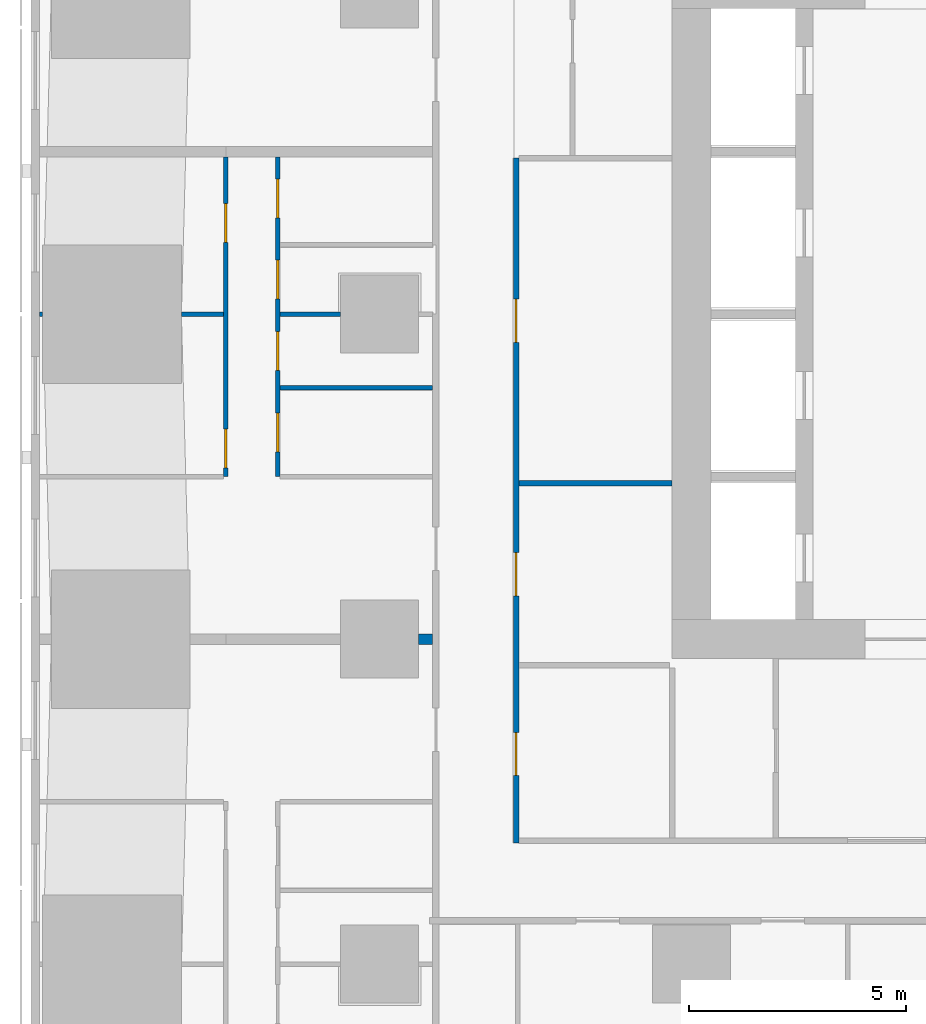
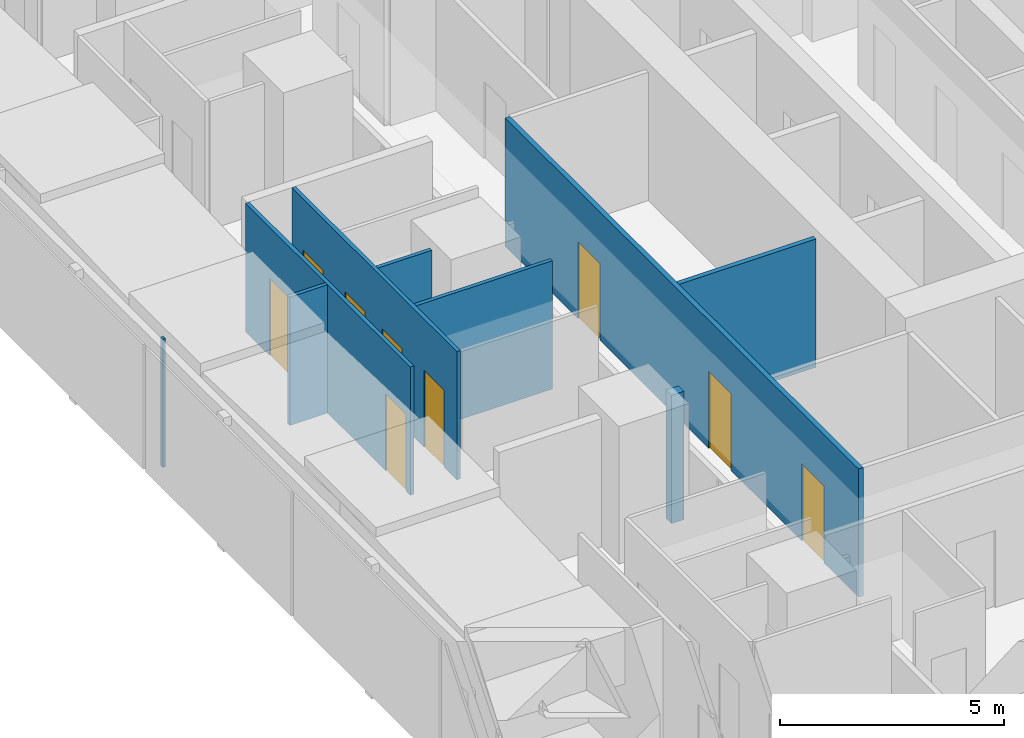
# One storey, part 5 of 17: 9 doors, 9 walls, 9 openings.
"""IFC4 building model written with IfcOpenShell, lengths in metres."""

from ifc_helpers import new_model, si_unit, direction, frame, frame_2d, origin, place, context, subcontext, project, spatial, rectangle, extrude, material, layer, layer_set, type_object, element, fill, save


model = new_model("IFC4")

# Units and contexts
model_context = context("Model", 3, precision=1e-05, world=origin(), true_north=direction((0.0, 1.0)))
body_context = subcontext(model_context, "Body", "Model", "MODEL_VIEW")
ifc_project = project(units=[si_unit("LENGTHUNIT", "METRE"), si_unit("AREAUNIT", "SQUARE_METRE"), si_unit("VOLUMEUNIT", "CUBIC_METRE"), si_unit("PLANEANGLEUNIT", "RADIAN"), si_unit("MASSUNIT", "GRAM", prefix="KILO")], contexts=[model_context])

# Site, building, storey
site_placement = place(None, origin())
site = spatial("IfcSite", under=ifc_project, at=site_placement, CompositionType="ELEMENT")
building_placement = place(site_placement, origin())
building = spatial("IfcBuilding", under=site, at=building_placement, Name="Sheger Commons Tower", CompositionType="ELEMENT")
storey_placement = place(building_placement, frame((0.0, 0.0, 23.75)))
storey = spatial("IfcBuildingStorey", under=building, at=storey_placement, Name="L05", CompositionType="ELEMENT", Elevation=23.75)

# Wall
ifc_material_1 = material(Name="Dense concrete block masonry, plastered both sides (separating wall between flats)", Category="masonry")
ifc_layer_1 = layer(ifc_material_1, 0.25)
ifc_layer_set_1 = layer_set([ifc_layer_1], Name="DEMISING WALL 250")
wall_type_1 = type_object("IfcWallType", Name="DEMISING WALL 250", PredefinedType="SOLIDWALL", material=ifc_layer_set_1)
wall_1_placement = place(storey_placement, frame((8.10107421875, 15.0, 0.0), z_axis=(0.0, 0.0, 1.0), x_axis=(1.0, 0.0, 0.0)))
element("IfcWall", 1, at=wall_1_placement, inside=storey, type_object=wall_type_1, Name="Demising wall L05", PredefinedType="SOLIDWALL", context=body_context, shape_type="SweptSolid", body=[
    extrude(rectangle(XDim=0.323974609375, YDim=0.25, at=frame_2d((0.162109375, 0.0))), origin(), (0.0, 0.0, 1.0), 3.5),
])

# Wall, openings, doors
ifc_material_2 = material(Name="Gypsum board on steel studs", Category="steel")
ifc_layer_2 = layer(ifc_material_2, 0.10009765625)
ifc_layer_set_2 = layer_set([ifc_layer_2], Name="PARTITION 100")
wall_type_2 = type_object("IfcWallType", Name="PARTITION 100", PredefinedType="PARTITIONING", material=ifc_layer_set_2)
wall_2_placement = place(storey_placement, frame((3.64990234375, 18.75, 0.0), z_axis=(0.0, 0.0, 1.0), x_axis=(0.0, 1.0, 0.0)))
wall_2 = element("IfcWall", 2, at=wall_2_placement, inside=storey, type_object=wall_type_2, Name="Partition L05", PredefinedType="PARTITIONING", context=body_context, shape_type="SweptSolid", body=[
    extrude(rectangle(XDim=7.375, YDim=0.10009765625, at=frame_2d((3.6875, 0.0))), origin(), (0.0, 0.0, 1.0), 3.5),
])
opening_1_placement = place(wall_2_placement, frame((0.199951171875, 0.0, 0.0)))
opening_1 = element("IfcOpeningElement", 3, at=opening_1_placement, cuts=wall_2, Name="Opening D2", PredefinedType="OPENING", context=body_context, shape_type="SweptSolid", body=[
    extrude(rectangle(XDim=0.89990234375, YDim=2.10009765625, at=frame_2d((0.449951171875, 1.050048828125))), frame((0.0, 0.06005859375, 0.0), z_axis=(0.0, -1.0, 0.0), x_axis=(1.0, 0.0, 0.0)), (0.0, 0.0, 1.0), 0.1201171875),
])
opening_2_placement = place(wall_2_placement, frame((5.39990234375, 0.0, 0.0)))
opening_2 = element("IfcOpeningElement", 4, at=opening_2_placement, cuts=wall_2, Name="Opening D2", PredefinedType="OPENING", context=body_context, shape_type="SweptSolid", body=[
    extrude(rectangle(XDim=0.89990234375, YDim=2.10009765625, at=frame_2d((0.449951171875, 1.050048828125))), frame((0.0, 0.06005859375, 0.0), z_axis=(0.0, -1.0, 0.0), x_axis=(1.0, 0.0, 0.0)), (0.0, 0.0, 1.0), 0.1201171875),
])
ifc_material_3 = material(Name="Timber door set", Category="wood")
door_type_1 = type_object("IfcDoorType", Name="INTERNAL DOOR 900x2100", OperationType="NOTDEFINED", PredefinedType="DOOR", material=ifc_material_3)
door_1_placement = place(opening_1_placement, origin())
door_1 = element("IfcDoor", 5, at=door_1_placement, inside=storey, type_object=door_type_1, Name="Main bedroom door", OperationType="SINGLE_SWING_LEFT", OverallHeight=2.10009765625, OverallWidth=0.89990234375, PredefinedType="DOOR", context=body_context, shape_type="SweptSolid", body=[
    extrude(rectangle(XDim=0.89990234375, YDim=2.10009765625, at=frame_2d((0.449951171875, 1.050048828125))), frame((0.0, 0.02490234375, 0.0), z_axis=(0.0, -1.0, 0.0), x_axis=(1.0, 0.0, 0.0)), (0.0, 0.0, 1.0), 0.050048828125),
])
fill(opening_1, door_1)
door_2_placement = place(opening_2_placement, origin())
door_2 = element("IfcDoor", 6, at=door_2_placement, inside=storey, type_object=door_type_1, Name="Bedroom 2 door", OperationType="SINGLE_SWING_RIGHT", OverallHeight=2.10009765625, OverallWidth=0.89990234375, PredefinedType="DOOR", context=body_context, shape_type="SweptSolid", body=[
    extrude(rectangle(XDim=0.89990234375, YDim=2.10009765625, at=frame_2d((0.449951171875, 1.050048828125))), frame((0.0, 0.02490234375, 0.0), z_axis=(0.0, -1.0, 0.0), x_axis=(1.0, 0.0, 0.0)), (0.0, 0.0, 1.0), 0.050048828125),
])
fill(opening_2, door_2)

wall_3_placement = place(storey_placement, frame((4.85009765625, 18.75, 0.0), z_axis=(0.0, 0.0, 1.0), x_axis=(0.0, 1.0, 0.0)))
wall_3 = element("IfcWall", 7, at=wall_3_placement, inside=storey, type_object=wall_type_2, Name="Partition L05", PredefinedType="PARTITIONING", context=body_context, shape_type="SweptSolid", body=[
    extrude(rectangle(XDim=7.375, YDim=0.10009765625, at=frame_2d((3.6875, 0.0))), origin(), (0.0, 0.0, 1.0), 3.5),
])
opening_3_placement = place(wall_3_placement, frame((0.574951171875, 0.0, 0.0)))
opening_3 = element("IfcOpeningElement", 8, at=opening_3_placement, cuts=wall_3, Name="Opening D2", PredefinedType="OPENING", context=body_context, shape_type="SweptSolid", body=[
    extrude(rectangle(XDim=0.89990234375, YDim=2.10009765625, at=frame_2d((0.449951171875, 1.050048828125))), frame((0.0, 0.06005859375, 0.0), z_axis=(0.0, -1.0, 0.0), x_axis=(1.0, 0.0, 0.0)), (0.0, 0.0, 1.0), 0.1201171875),
])
opening_4_placement = place(wall_3_placement, frame((4.10009765625, 0.0, 0.0)))
opening_4 = element("IfcOpeningElement", 9, at=opening_4_placement, cuts=wall_3, Name="Opening D2", PredefinedType="OPENING", context=body_context, shape_type="SweptSolid", body=[
    extrude(rectangle(XDim=0.89990234375, YDim=2.10009765625, at=frame_2d((0.449951171875, 1.050048828125))), frame((0.0, 0.06005859375, 0.0), z_axis=(0.0, -1.0, 0.0), x_axis=(1.0, 0.0, 0.0)), (0.0, 0.0, 1.0), 0.1201171875),
])
opening_5_placement = place(wall_3_placement, frame((2.449951171875, 0.0, 0.0)))
opening_5 = element("IfcOpeningElement", 10, at=opening_5_placement, cuts=wall_3, Name="Opening D2", PredefinedType="OPENING", context=body_context, shape_type="SweptSolid", body=[
    extrude(rectangle(XDim=0.89990234375, YDim=2.10009765625, at=frame_2d((0.449951171875, 1.050048828125))), frame((0.0, 0.06005859375, 0.0), z_axis=(0.0, -1.0, 0.0), x_axis=(1.0, 0.0, 0.0)), (0.0, 0.0, 1.0), 0.1201171875),
])
opening_6_placement = place(wall_3_placement, frame((5.97509765625, 0.0, 0.0)))
opening_6 = element("IfcOpeningElement", 11, at=opening_6_placement, cuts=wall_3, Name="Opening D2", PredefinedType="OPENING", context=body_context, shape_type="SweptSolid", body=[
    extrude(rectangle(XDim=0.89990234375, YDim=2.10009765625, at=frame_2d((0.449951171875, 1.050048828125))), frame((0.0, 0.06005859375, 0.0), z_axis=(0.0, -1.0, 0.0), x_axis=(1.0, 0.0, 0.0)), (0.0, 0.0, 1.0), 0.1201171875),
])
door_3_placement = place(opening_3_placement, origin())
door_3 = element("IfcDoor", 12, at=door_3_placement, inside=storey, type_object=door_type_1, Name="Bathroom door", OperationType="SINGLE_SWING_RIGHT", OverallHeight=2.10009765625, OverallWidth=0.89990234375, PredefinedType="DOOR", context=body_context, shape_type="SweptSolid", body=[
    extrude(rectangle(XDim=0.89990234375, YDim=2.10009765625, at=frame_2d((0.449951171875, 1.050048828125))), frame((0.0, 0.02490234375, 0.0), z_axis=(0.0, -1.0, 0.0), x_axis=(1.0, 0.0, 0.0)), (0.0, 0.0, 1.0), 0.050048828125),
])
fill(opening_3, door_3)
door_4_placement = place(opening_4_placement, origin())
door_4 = element("IfcDoor", 13, at=door_4_placement, inside=storey, type_object=door_type_1, Name="Shower room door", OperationType="SINGLE_SWING_RIGHT", OverallHeight=2.10009765625, OverallWidth=0.89990234375, PredefinedType="DOOR", context=body_context, shape_type="SweptSolid", body=[
    extrude(rectangle(XDim=0.89990234375, YDim=2.10009765625, at=frame_2d((0.449951171875, 1.050048828125))), frame((0.0, 0.02490234375, 0.0), z_axis=(0.0, -1.0, 0.0), x_axis=(1.0, 0.0, 0.0)), (0.0, 0.0, 1.0), 0.050048828125),
])
fill(opening_4, door_4)
door_5_placement = place(opening_5_placement, origin())
door_5 = element("IfcDoor", 14, at=door_5_placement, inside=storey, type_object=door_type_1, Name="Store door", OperationType="SINGLE_SWING_RIGHT", OverallHeight=2.10009765625, OverallWidth=0.89990234375, PredefinedType="DOOR", context=body_context, shape_type="SweptSolid", body=[
    extrude(rectangle(XDim=0.89990234375, YDim=2.10009765625, at=frame_2d((0.449951171875, 1.050048828125))), frame((0.0, 0.02490234375, 0.0), z_axis=(0.0, -1.0, 0.0), x_axis=(1.0, 0.0, 0.0)), (0.0, 0.0, 1.0), 0.050048828125),
])
fill(opening_5, door_5)
door_6_placement = place(opening_6_placement, origin())
door_6 = element("IfcDoor", 15, at=door_6_placement, inside=storey, type_object=door_type_1, Name="Store door", OperationType="SINGLE_SWING_LEFT", OverallHeight=2.10009765625, OverallWidth=0.89990234375, PredefinedType="DOOR", context=body_context, shape_type="SweptSolid", body=[
    extrude(rectangle(XDim=0.89990234375, YDim=2.10009765625, at=frame_2d((0.449951171875, 1.050048828125))), frame((0.0, 0.02490234375, 0.0), z_axis=(0.0, -1.0, 0.0), x_axis=(1.0, 0.0, 0.0)), (0.0, 0.0, 1.0), 0.050048828125),
])
fill(opening_6, door_6)

# Walls
wall_4_placement = place(storey_placement, frame((-0.64990234375, 22.5, 0.0), z_axis=(0.0, 0.0, 1.0), x_axis=(1.0, 0.0, 0.0)))
element("IfcWall", 16, at=wall_4_placement, inside=storey, type_object=wall_type_2, Name="Partition L05", PredefinedType="PARTITIONING", context=body_context, shape_type="SweptSolid", body=[
    extrude(rectangle(XDim=0.073974609375, YDim=0.10009765625, at=frame_2d((0.037109375, 0.0))), origin(), (0.0, 0.0, 1.0), 3.5),
])
wall_5_placement = place(storey_placement, frame((2.6259765625, 22.5, 0.0), z_axis=(0.0, 0.0, 1.0), x_axis=(1.0, 0.0, 0.0)))
element("IfcWall", 17, at=wall_5_placement, inside=storey, type_object=wall_type_2, Name="Partition L05", PredefinedType="PARTITIONING", context=body_context, shape_type="SweptSolid", body=[
    extrude(rectangle(XDim=0.97412109375, YDim=0.10009765625, at=frame_2d((0.487060546875, 0.0))), origin(), (0.0, 0.0, 1.0), 3.5),
])
wall_6_placement = place(storey_placement, frame((4.89990234375, 22.5, 0.0), z_axis=(0.0, 0.0, 1.0), x_axis=(1.0, 0.0, 0.0)))
element("IfcWall", 18, at=wall_6_placement, inside=storey, type_object=wall_type_2, Name="Partition L05", PredefinedType="PARTITIONING", context=body_context, shape_type="SweptSolid", body=[
    extrude(rectangle(XDim=1.399169921875, YDim=0.10009765625, at=frame_2d((0.69970703125, 0.0))), origin(), (0.0, 0.0, 1.0), 3.5),
])
wall_7_placement = place(storey_placement, frame((4.89990234375, 20.800048828125, 0.0), z_axis=(0.0, 0.0, 1.0), x_axis=(1.0, 0.0, 0.0)))
element("IfcWall", 19, at=wall_7_placement, inside=storey, type_object=wall_type_2, Name="Partition L05", PredefinedType="PARTITIONING", context=body_context, shape_type="SweptSolid", body=[
    extrude(rectangle(XDim=3.525146484375, YDim=0.10009765625, at=frame_2d((1.7626953125, 0.0))), origin(), (0.0, 0.0, 1.0), 3.5),
])

# Wall, openings, doors
ifc_material_4 = material(Name="Gypsum board on steel studs, two layers each side, fire rated", Category="steel")
ifc_layer_3 = layer(ifc_material_4, 0.125)
ifc_layer_set_3 = layer_set([ifc_layer_3], Name="SERVICE WALL 125")
wall_type_3 = type_object("IfcWallType", Name="SERVICE WALL 125", PredefinedType="PARTITIONING", material=ifc_layer_set_3)
wall_8_placement = place(storey_placement, frame((10.35009765625, 10.300048828125, 0.0), z_axis=(0.0, 0.0, 1.0), x_axis=(0.0, 1.0, 0.0)))
wall_8 = element("IfcWall", 20, at=wall_8_placement, inside=storey, type_object=wall_type_3, Name="Service room wall L05", PredefinedType="PARTITIONING", context=body_context, shape_type="SweptSolid", body=[
    extrude(rectangle(XDim=15.800048828125, YDim=0.125, at=frame_2d((7.89990234375, 0.0))), origin(), (0.0, 0.0, 1.0), 3.5),
])
opening_7_placement = place(wall_8_placement, frame((1.550048828125, 0.0, 0.0)))
opening_7 = element("IfcOpeningElement", 21, at=opening_7_placement, cuts=wall_8, Name="Opening D4", PredefinedType="OPENING", context=body_context, shape_type="SweptSolid", body=[
    extrude(rectangle(XDim=1.0, YDim=2.10009765625, at=frame_2d((0.5, 1.050048828125))), frame((0.0, 0.072509765625, 0.0), z_axis=(0.0, -1.0, 0.0), x_axis=(1.0, 0.0, 0.0)), (0.0, 0.0, 1.0), 0.14501953125),
])
opening_8_placement = place(wall_8_placement, frame((5.699951171875, 0.0, 0.0)))
opening_8 = element("IfcOpeningElement", 22, at=opening_8_placement, cuts=wall_8, Name="Opening D4", PredefinedType="OPENING", context=body_context, shape_type="SweptSolid", body=[
    extrude(rectangle(XDim=1.0, YDim=2.10009765625, at=frame_2d((0.5, 1.050048828125))), frame((0.0, 0.072509765625, 0.0), z_axis=(0.0, -1.0, 0.0), x_axis=(1.0, 0.0, 0.0)), (0.0, 0.0, 1.0), 0.14501953125),
])
opening_9_placement = place(wall_8_placement, frame((11.550048828125, 0.0, 0.0)))
opening_9 = element("IfcOpeningElement", 23, at=opening_9_placement, cuts=wall_8, Name="Opening D4", PredefinedType="OPENING", context=body_context, shape_type="SweptSolid", body=[
    extrude(rectangle(XDim=1.0, YDim=2.10009765625, at=frame_2d((0.5, 1.050048828125))), frame((0.0, 0.072509765625, 0.0), z_axis=(0.0, -1.0, 0.0), x_axis=(1.0, 0.0, 0.0)), (0.0, 0.0, 1.0), 0.14501953125),
])
ifc_material_5 = material(Name="Steel door set, fire rated", Category="steel")
door_type_2 = type_object("IfcDoorType", Name="SERVICE DOOR 1000x2100", OperationType="NOTDEFINED", PredefinedType="DOOR", material=ifc_material_5)
door_7_placement = place(opening_7_placement, origin())
door_7 = element("IfcDoor", 24, at=door_7_placement, inside=storey, type_object=door_type_2, Name="Refuse chute room door", OperationType="SINGLE_SWING_RIGHT", OverallHeight=2.10009765625, OverallWidth=1.0, PredefinedType="DOOR", context=body_context, shape_type="SweptSolid", body=[
    extrude(rectangle(XDim=1.0, YDim=2.10009765625, at=frame_2d((0.5, 1.050048828125))), frame((0.0, 0.02490234375, 0.0), z_axis=(0.0, -1.0, 0.0), x_axis=(1.0, 0.0, 0.0)), (0.0, 0.0, 1.0), 0.050048828125),
])
fill(opening_7, door_7)
door_8_placement = place(opening_8_placement, origin())
door_8 = element("IfcDoor", 25, at=door_8_placement, inside=storey, type_object=door_type_2, Name="Recycling room door", OperationType="SINGLE_SWING_RIGHT", OverallHeight=2.10009765625, OverallWidth=1.0, PredefinedType="DOOR", context=body_context, shape_type="SweptSolid", body=[
    extrude(rectangle(XDim=1.0, YDim=2.10009765625, at=frame_2d((0.5, 1.050048828125))), frame((0.0, 0.02490234375, 0.0), z_axis=(0.0, -1.0, 0.0), x_axis=(1.0, 0.0, 0.0)), (0.0, 0.0, 1.0), 0.050048828125),
])
fill(opening_8, door_8)
door_9_placement = place(opening_9_placement, origin())
door_9 = element("IfcDoor", 26, at=door_9_placement, inside=storey, type_object=door_type_2, Name="Bicycle and pram store door", OperationType="SINGLE_SWING_LEFT", OverallHeight=2.10009765625, OverallWidth=1.0, PredefinedType="DOOR", context=body_context, shape_type="SweptSolid", body=[
    extrude(rectangle(XDim=1.0, YDim=2.10009765625, at=frame_2d((0.5, 1.050048828125))), frame((0.0, 0.02490234375, 0.0), z_axis=(0.0, -1.0, 0.0), x_axis=(1.0, 0.0, 0.0)), (0.0, 0.0, 1.0), 0.050048828125),
])
fill(opening_9, door_9)

# Wall
wall_9_placement = place(storey_placement, frame((10.4130859375, 18.60009765625, 0.0), z_axis=(0.0, 0.0, 1.0), x_axis=(1.0, 0.0, 0.0)))
element("IfcWall", 27, at=wall_9_placement, inside=storey, type_object=wall_type_3, Name="Service room wall L05", PredefinedType="PARTITIONING", context=body_context, shape_type="SweptSolid", body=[
    extrude(rectangle(XDim=3.536865234375, YDim=0.125, at=frame_2d((1.7685546875, 0.0))), origin(), (0.0, 0.0, 1.0), 3.5),
])

save(model, "model.ifc")
